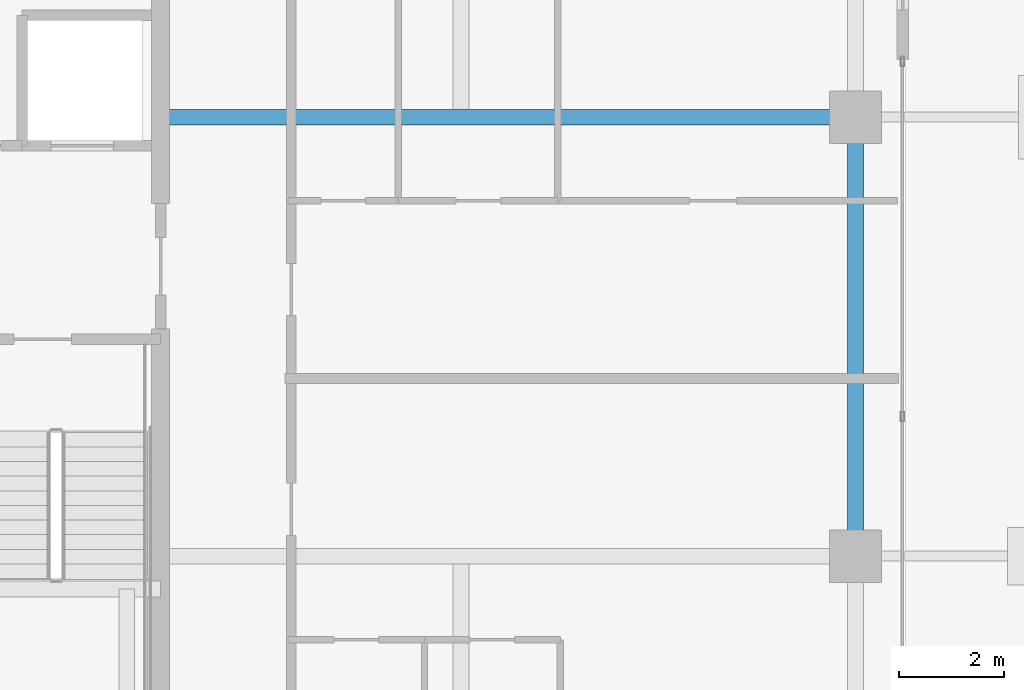
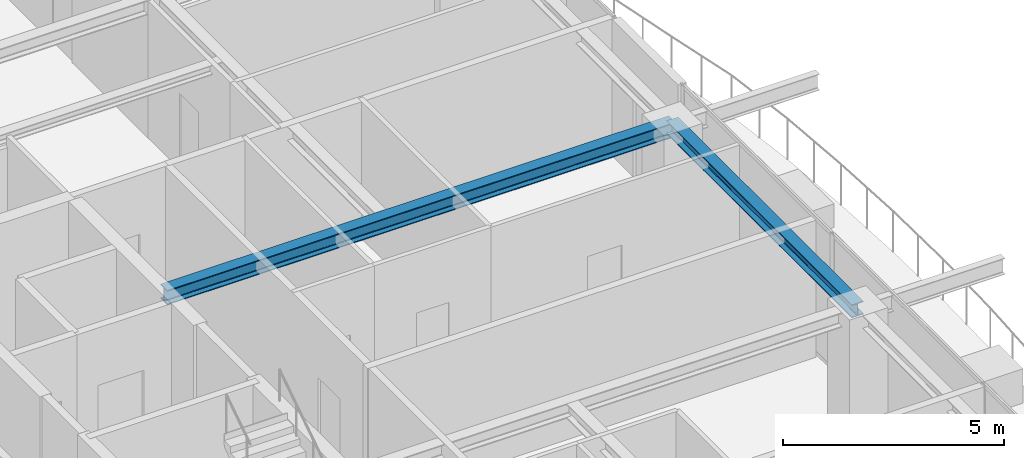
# One storey, part 17 of 42: 2 beams.
"""IFC4 building model written with IfcOpenShell, lengths in metres."""

from ifc_helpers import new_model, si_unit, direction, frame, origin, origin_2d, place, context, subcontext, project, spatial, i_section, extrude, source, transform, mapped, material, material_profile, profile_set, type_object, element, save


model = new_model("IFC4")

# Units and contexts
model_context = context("Model", 3, precision=1e-05, world=origin(), true_north=direction((0.0, 1.0)))
body_context = subcontext(model_context, "Body", "Model", "MODEL_VIEW")
ifc_project = project(units=[si_unit("LENGTHUNIT", "METRE"), si_unit("AREAUNIT", "SQUARE_METRE"), si_unit("VOLUMEUNIT", "CUBIC_METRE"), si_unit("PLANEANGLEUNIT", "RADIAN"), si_unit("MASSUNIT", "GRAM", prefix="KILO")], contexts=[model_context])

# Site, building, storey
site_placement = place(None, origin())
site = spatial("IfcSite", under=ifc_project, at=site_placement, CompositionType="ELEMENT")
building_placement = place(site_placement, origin())
building = spatial("IfcBuilding", under=site, at=building_placement, Name="Serunith Strait Residences", CompositionType="ELEMENT")
storey_placement = place(building_placement, frame((0.0, 0.0, 325.85009765625)))
storey = spatial("IfcBuildingStorey", under=building, at=storey_placement, Name="L81", CompositionType="ELEMENT", Elevation=325.85009765625)

# Beams
ifc_material = material(Name="Steel S355J2", Category="steel")
ifc_material_profile_1 = material_profile(ifc_material, i_section(OverallWidth=0.300048828125, OverallDepth=0.39990234375, WebThickness=0.013427734375, FlangeThickness=0.02392578125, FilletRadius=0.027099609375, at=origin_2d()), Name="HEB 400")
ifc_profile_set_1 = profile_set([ifc_material_profile_1], Name="Steel S355J2")
beam_type_1 = type_object("IfcBeamType", Name="BM-HEB400", PredefinedType="BEAM", material=ifc_profile_set_1)
shared_shape_1 = source(origin(), body_context, "Body", "SweptSolid", [
    extrude(i_section(OverallWidth=0.300048828125, OverallDepth=0.39990234375, WebThickness=0.013427734375, FlangeThickness=0.02392578125, FilletRadius=0.027099609375, at=origin_2d()), origin(), (0.0, 0.0, 1.0), 13.300048828125),
])
beam_1_placement = place(storey_placement, frame((41.39990234375, 29.39990234375, 3.5869140625), z_axis=(1.0, 0.0, 0.0), x_axis=(0.0, 1.0, 0.0)))
element("IfcBeam", 1, at=beam_1_placement, inside=storey, type_object=beam_type_1, Name="L81 Primary Floor Girder TC-E3", PredefinedType="BEAM", context=body_context, shape_type="MappedRepresentation", body=[
    mapped(shared_shape_1, transform((0.0, 0.0, 0.0), scale=1.0)),
])
ifc_material_profile_2 = material_profile(ifc_material, i_section(OverallWidth=0.300048828125, OverallDepth=0.360107421875, WebThickness=0.012451171875, FlangeThickness=0.0224609375, FilletRadius=0.027099609375, at=origin_2d()), Name="HEB 360")
ifc_profile_set_2 = profile_set([ifc_material_profile_2], Name="Steel S355J2")
beam_type_2 = type_object("IfcBeamType", Name="BM-HEB360", PredefinedType="BEAM", material=ifc_profile_set_2)
shared_shape_2 = source(origin(), body_context, "Body", "SweptSolid", [
    extrude(i_section(OverallWidth=0.300048828125, OverallDepth=0.360107421875, WebThickness=0.012451171875, FlangeThickness=0.0224609375, FilletRadius=0.027099609375, at=origin_2d()), origin(), (0.0, 0.0, 1.0), 8.39990234375),
])
beam_2_placement = place(storey_placement, frame((54.699951171875, 21.0, 3.60693359375), z_axis=(0.0, 1.0, 0.0), x_axis=(-1.0, 0.0, 0.0)))
element("IfcBeam", 2, at=beam_2_placement, inside=storey, type_object=beam_type_2, Name="L81 Perimeter Ring Beam 06", PredefinedType="BEAM", context=body_context, shape_type="MappedRepresentation", body=[
    mapped(shared_shape_2, transform((0.0, 0.0, 0.0), scale=1.0)),
])

save(model, "model.ifc")
